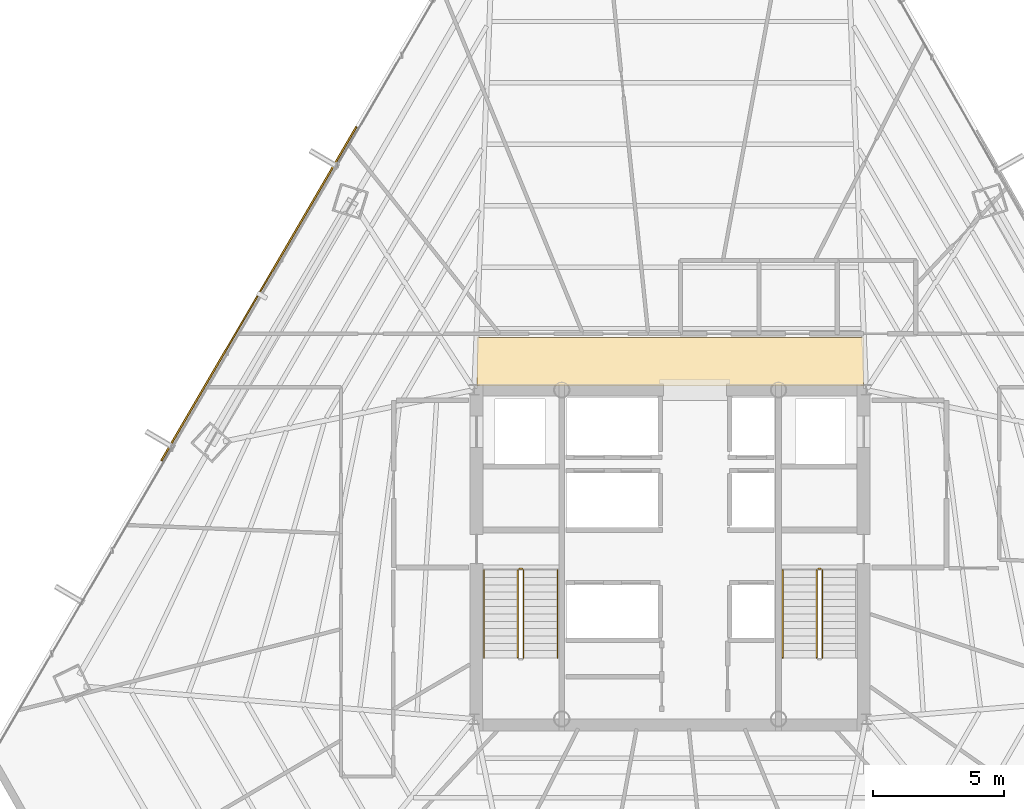
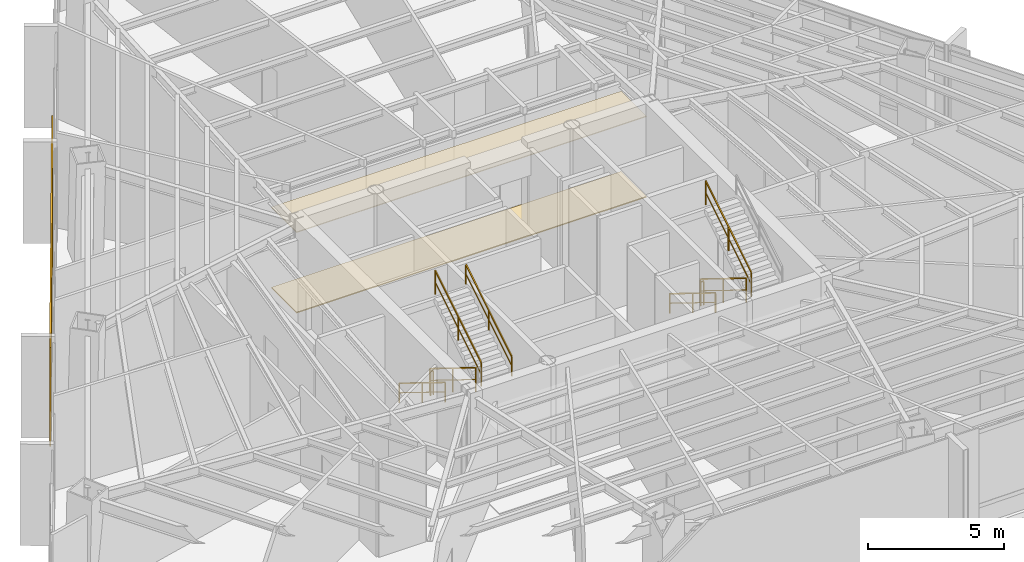
# One storey, part 36 of 37: 9 railings, 2 coverings, 1 shading device.
"""IFC4 building model written with IfcOpenShell, lengths in metres."""

from ifc_helpers import new_model, si_unit, direction, frame, origin, origin_2d, place, context, subcontext, project, spatial, polyline, rectangle, outline, extrude, source, transform, mapped, material, layer, layer_set, type_object, type_shapes, element, save


model = new_model("IFC4")

# Units and contexts
model_context = context("Model", 3, precision=1e-05, world=origin(), true_north=direction((0.0, 1.0)))
body_context = subcontext(model_context, "Body", "Model", "MODEL_VIEW")
ifc_project = project(units=[si_unit("LENGTHUNIT", "METRE"), si_unit("AREAUNIT", "SQUARE_METRE"), si_unit("VOLUMEUNIT", "CUBIC_METRE"), si_unit("PLANEANGLEUNIT", "RADIAN"), si_unit("MASSUNIT", "GRAM", prefix="KILO")], contexts=[model_context])

# Site, building, storey
site_placement = place(None, origin())
site = spatial("IfcSite", under=ifc_project, at=site_placement, CompositionType="ELEMENT")
building_placement = place(site_placement, origin())
building = spatial("IfcBuilding", under=site, at=building_placement, Name="Caelisora Broadcast Tower", CompositionType="ELEMENT")
storey_placement = place(building_placement, frame((0.0, 0.0, 127.300048828125)))
storey = spatial("IfcBuildingStorey", under=building, at=storey_placement, Name="L33", CompositionType="ELEMENT", Elevation=127.300048828125)

# Coverings
ifc_material_1 = material(Name="Perforated Mineral-Fibre Acoustic Ceiling Tile", Category="gypsum")
ifc_layer_1 = layer(ifc_material_1, 0.034912109375, Name="Perforated Mineral-Fibre Acoustic Ceiling Tile")
ifc_layer_set_1 = layer_set([ifc_layer_1], Name="Perforated Mineral-Fibre Acoustic Ceiling Tile")
covering_type_1 = type_object("IfcCoveringType", Name="CE-1", PredefinedType="CEILING", material=ifc_layer_set_1)
covering_1_placement = place(storey_placement, frame((0.0, 0.0, 3.599853515625)))
element("IfcCovering", 1, at=covering_1_placement, inside=storey, type_object=covering_type_1, Name="L33 acoustic corridor ceiling CE-1 (N)", PredefinedType="CEILING", context=body_context, shape_type="SweptSolid", body=[
    extrude(outline(polyline([(30.60009765625, 30.14990234375), (45.39990234375, 30.14990234375), (45.39990234375, 32.0), (30.60009765625, 32.0), (30.60009765625, 30.14990234375)])), origin(), (0.0, 0.0, 1.0), 0.03515625),
])
ifc_material_2 = material(Name="Anti-Static Broadcast Raised Access Floor Panel", Category="steel")
ifc_layer_2 = layer(ifc_material_2, 0.044921875, Name="Anti-Static Broadcast Raised Access Floor Panel")
ifc_layer_set_2 = layer_set([ifc_layer_2], Name="Anti-Static Broadcast Raised Access Floor Panel")
covering_type_2 = type_object("IfcCoveringType", Name="FL-1", PredefinedType="FLOORING", material=ifc_layer_set_2)
covering_2_placement = place(storey_placement, origin())
element("IfcCovering", 2, at=covering_2_placement, inside=storey, type_object=covering_type_2, Name="L33 broadcast raised access floor FL-1 (N)", PredefinedType="FLOORING", context=body_context, shape_type="SweptSolid", body=[
    extrude(outline(polyline([(30.60009765625, 30.14990234375), (45.39990234375, 30.14990234375), (45.39990234375, 32.0), (30.60009765625, 32.0), (30.60009765625, 30.14990234375)])), origin(), (0.0, 0.0, 1.0), 0.044921875),
])

# Railings
ifc_material_3 = material(Name="Galvanised Steel Safety Guardrail", Category="steel")
ifc_layer_3 = layer(ifc_material_3, 0.048095703125, Name="Galvanised Steel Safety Guardrail")
ifc_layer_set_3 = layer_set([ifc_layer_3], Name="Galvanised Steel Safety Guardrail")
railing_type_1 = type_object("IfcRailingType", Name="GR-1", PredefinedType="GUARDRAIL", material=ifc_layer_set_3)
railing_1_placement = place(storey_placement, frame((32.169921875, 23.10009765625, 0.173095703125)))
element("IfcRailing", 3, at=railing_1_placement, inside=storey, type_object=railing_type_1, Name="L33 ST-1 stair guard 1", PredefinedType="GUARDRAIL", context=body_context, shape_type="SweptSolid", body=[
    extrude(rectangle(XDim=0.048095703125, YDim=0.048095703125, at=origin_2d()), frame((0.0, 0.0, 1.076171875), z_axis=(0.0, -0.850623216509, 0.525775754039), x_axis=(1.0, 0.0, 0.0)), (0.0, 0.0, 1.0), 3.9501953125),
    extrude(rectangle(XDim=0.03125, YDim=0.03125, at=origin_2d()), frame((0.0, 0.0, 0.550048828125), z_axis=(0.0, -0.850623216509, 0.525775754039), x_axis=(1.0, 0.0, 0.0)), (0.0, 0.0, 1.0), 3.9501953125),
    extrude(rectangle(XDim=0.0419921875, YDim=0.0419921875, at=origin_2d()), origin(), (0.0, 0.0, 1.0), 1.052001953125),
    extrude(rectangle(XDim=0.0419921875, YDim=0.0419921875, at=origin_2d()), frame((0.0, -1.68017578125, 1.03857421875)), (0.0, 0.0, 1.0), 1.052001953125),
    extrude(rectangle(XDim=0.0419921875, YDim=0.0419921875, at=origin_2d()), frame((0.0, -3.360107421875, 2.076904296875)), (0.0, 0.0, 1.0), 1.052001953125),
])
railing_2_placement = place(storey_placement, frame((32.389892578125, 19.739990234375, 2.423095703125)))
element("IfcRailing", 4, at=railing_2_placement, inside=storey, type_object=railing_type_1, Name="L33 ST-1 stair guard 3", PredefinedType="GUARDRAIL", context=body_context, shape_type="SweptSolid", body=[
    extrude(rectangle(XDim=0.048095703125, YDim=0.048095703125, at=origin_2d()), frame((0.0, 0.0, 1.076171875), z_axis=(0.0, 0.850623216509, 0.525775754039), x_axis=(-1.0, 0.0, 0.0)), (0.0, 0.0, 1.0), 3.9501953125),
    extrude(rectangle(XDim=0.03125, YDim=0.03125, at=origin_2d()), frame((0.0, 0.0, 0.550048828125), z_axis=(0.0, 0.850623216509, 0.525775754039), x_axis=(-1.0, 0.0, 0.0)), (0.0, 0.0, 1.0), 3.9501953125),
    extrude(rectangle(XDim=0.0419921875, YDim=0.0419921875, at=origin_2d()), origin(), (0.0, 0.0, 1.0), 1.052001953125),
    extrude(rectangle(XDim=0.0419921875, YDim=0.0419921875, at=origin_2d()), frame((0.0, 1.68017578125, 1.03857421875)), (0.0, 0.0, 1.0), 1.052001953125),
    extrude(rectangle(XDim=0.0419921875, YDim=0.0419921875, at=origin_2d()), frame((0.0, 3.360107421875, 2.076904296875)), (0.0, 0.0, 1.0), 1.052001953125),
])
railing_3_placement = place(storey_placement, frame((32.219970703125, 23.14990234375, 0.0)))
element("IfcRailing", 5, at=railing_3_placement, inside=storey, type_object=railing_type_1, Name="L33 ST-1 stair guard 4", PredefinedType="GUARDRAIL", context=body_context, shape_type="SweptSolid", body=[
    extrude(rectangle(XDim=0.048095703125, YDim=0.048095703125, at=origin_2d()), frame((0.0, 0.0, 1.076171875), z_axis=(1.0, 0.0, 0.0), x_axis=(0.0, 1.0, 0.0)), (0.0, 0.0, 1.0), 0.1201171875),
    extrude(rectangle(XDim=0.03125, YDim=0.03125, at=origin_2d()), frame((0.0, 0.0, 0.550048828125), z_axis=(1.0, 0.0, 0.0), x_axis=(0.0, 1.0, 0.0)), (0.0, 0.0, 1.0), 0.1201171875),
    extrude(rectangle(XDim=0.0419921875, YDim=0.0419921875, at=origin_2d()), origin(), (0.0, 0.0, 1.0), 1.052001953125),
    extrude(rectangle(XDim=0.0419921875, YDim=0.0419921875, at=origin_2d()), frame((0.1201171875, 0.0, 0.0)), (0.0, 0.0, 1.0), 1.052001953125),
])
railing_4_placement = place(storey_placement, frame((43.610107421875, 23.10009765625, 0.173095703125)))
element("IfcRailing", 6, at=railing_4_placement, inside=storey, type_object=railing_type_1, Name="L33 ST-2 stair guard 1", PredefinedType="GUARDRAIL", context=body_context, shape_type="SweptSolid", body=[
    extrude(rectangle(XDim=0.048095703125, YDim=0.048095703125, at=origin_2d()), frame((0.0, 0.0, 1.076171875), z_axis=(0.0, -0.850623216509, 0.525775754039), x_axis=(1.0, 0.0, 0.0)), (0.0, 0.0, 1.0), 3.9501953125),
    extrude(rectangle(XDim=0.03125, YDim=0.03125, at=origin_2d()), frame((0.0, 0.0, 0.550048828125), z_axis=(0.0, -0.850623216509, 0.525775754039), x_axis=(1.0, 0.0, 0.0)), (0.0, 0.0, 1.0), 3.9501953125),
    extrude(rectangle(XDim=0.0419921875, YDim=0.0419921875, at=origin_2d()), origin(), (0.0, 0.0, 1.0), 1.052001953125),
    extrude(rectangle(XDim=0.0419921875, YDim=0.0419921875, at=origin_2d()), frame((0.0, -1.68017578125, 1.03857421875)), (0.0, 0.0, 1.0), 1.052001953125),
    extrude(rectangle(XDim=0.0419921875, YDim=0.0419921875, at=origin_2d()), frame((0.0, -3.360107421875, 2.076904296875)), (0.0, 0.0, 1.0), 1.052001953125),
])
railing_5_placement = place(storey_placement, frame((43.830078125, 19.739990234375, 2.423095703125)))
element("IfcRailing", 7, at=railing_5_placement, inside=storey, type_object=railing_type_1, Name="L33 ST-2 stair guard 3", PredefinedType="GUARDRAIL", context=body_context, shape_type="SweptSolid", body=[
    extrude(rectangle(XDim=0.048095703125, YDim=0.048095703125, at=origin_2d()), frame((0.0, 0.0, 1.076171875), z_axis=(0.0, 0.850623216509, 0.525775754039), x_axis=(-1.0, 0.0, 0.0)), (0.0, 0.0, 1.0), 3.9501953125),
    extrude(rectangle(XDim=0.03125, YDim=0.03125, at=origin_2d()), frame((0.0, 0.0, 0.550048828125), z_axis=(0.0, 0.850623216509, 0.525775754039), x_axis=(-1.0, 0.0, 0.0)), (0.0, 0.0, 1.0), 3.9501953125),
    extrude(rectangle(XDim=0.0419921875, YDim=0.0419921875, at=origin_2d()), origin(), (0.0, 0.0, 1.0), 1.052001953125),
    extrude(rectangle(XDim=0.0419921875, YDim=0.0419921875, at=origin_2d()), frame((0.0, 1.68017578125, 1.03857421875)), (0.0, 0.0, 1.0), 1.052001953125),
    extrude(rectangle(XDim=0.0419921875, YDim=0.0419921875, at=origin_2d()), frame((0.0, 3.360107421875, 2.076904296875)), (0.0, 0.0, 1.0), 1.052001953125),
])
railing_6_placement = place(storey_placement, frame((43.659912109375, 23.14990234375, 0.0)))
element("IfcRailing", 8, at=railing_6_placement, inside=storey, type_object=railing_type_1, Name="L33 ST-2 stair guard 4", PredefinedType="GUARDRAIL", context=body_context, shape_type="SweptSolid", body=[
    extrude(rectangle(XDim=0.048095703125, YDim=0.048095703125, at=origin_2d()), frame((0.0, 0.0, 1.076171875), z_axis=(1.0, 0.0, 0.0), x_axis=(0.0, 1.0, 0.0)), (0.0, 0.0, 1.0), 0.1201171875),
    extrude(rectangle(XDim=0.03125, YDim=0.03125, at=origin_2d()), frame((0.0, 0.0, 0.550048828125), z_axis=(1.0, 0.0, 0.0), x_axis=(0.0, 1.0, 0.0)), (0.0, 0.0, 1.0), 0.1201171875),
    extrude(rectangle(XDim=0.0419921875, YDim=0.0419921875, at=origin_2d()), origin(), (0.0, 0.0, 1.0), 1.052001953125),
    extrude(rectangle(XDim=0.0419921875, YDim=0.0419921875, at=origin_2d()), frame((0.1201171875, 0.0, 0.0)), (0.0, 0.0, 1.0), 1.052001953125),
])
ifc_material_4 = material(Name="Stainless Steel Grade 316 Tubular Handrail", Category="steel")
ifc_layer_4 = layer(ifc_material_4, 0.048095703125, Name="Stainless Steel Grade 316 Tubular Handrail")
ifc_layer_set_4 = layer_set([ifc_layer_4], Name="Stainless Steel Grade 316 Tubular Handrail")
railing_type_2 = type_object("IfcRailingType", Name="HR-1", PredefinedType="HANDRAIL", material=ifc_layer_set_4)
railing_7_placement = place(storey_placement, frame((30.8701171875, 23.10009765625, 0.173095703125)))
element("IfcRailing", 9, at=railing_7_placement, inside=storey, type_object=railing_type_2, Name="L33 ST-1 stair handrail 1", PredefinedType="HANDRAIL", context=body_context, shape_type="SweptSolid", body=[
    extrude(rectangle(XDim=0.048095703125, YDim=0.048095703125, at=origin_2d()), frame((0.0, 0.0, 0.8759765625), z_axis=(0.0, -0.850623216509, 0.525775754039), x_axis=(1.0, 0.0, 0.0)), (0.0, 0.0, 1.0), 3.9501953125),
    extrude(rectangle(XDim=0.03125, YDim=0.03125, at=origin_2d()), frame((0.0, 0.0, 0.449951171875), z_axis=(0.0, -0.850623216509, 0.525775754039), x_axis=(1.0, 0.0, 0.0)), (0.0, 0.0, 1.0), 3.9501953125),
    extrude(rectangle(XDim=0.0419921875, YDim=0.0419921875, at=origin_2d()), origin(), (0.0, 0.0, 1.0), 0.851806640625),
    extrude(rectangle(XDim=0.0419921875, YDim=0.0419921875, at=origin_2d()), frame((0.0, -1.68017578125, 1.03857421875)), (0.0, 0.0, 1.0), 0.851806640625),
    extrude(rectangle(XDim=0.0419921875, YDim=0.0419921875, at=origin_2d()), frame((0.0, -3.360107421875, 2.076904296875)), (0.0, 0.0, 1.0), 0.851806640625),
])
railing_8_placement = place(storey_placement, frame((33.68994140625, 19.739990234375, 2.423095703125)))
element("IfcRailing", 10, at=railing_8_placement, inside=storey, type_object=railing_type_2, Name="L33 ST-1 stair handrail 2", PredefinedType="HANDRAIL", context=body_context, shape_type="SweptSolid", body=[
    extrude(rectangle(XDim=0.048095703125, YDim=0.048095703125, at=origin_2d()), frame((0.0, 0.0, 0.8759765625), z_axis=(0.0, 0.850623216509, 0.525775754039), x_axis=(-1.0, 0.0, 0.0)), (0.0, 0.0, 1.0), 3.9501953125),
    extrude(rectangle(XDim=0.03125, YDim=0.03125, at=origin_2d()), frame((0.0, 0.0, 0.449951171875), z_axis=(0.0, 0.850623216509, 0.525775754039), x_axis=(-1.0, 0.0, 0.0)), (0.0, 0.0, 1.0), 3.9501953125),
    extrude(rectangle(XDim=0.0419921875, YDim=0.0419921875, at=origin_2d()), origin(), (0.0, 0.0, 1.0), 0.851806640625),
    extrude(rectangle(XDim=0.0419921875, YDim=0.0419921875, at=origin_2d()), frame((0.0, 1.68017578125, 1.03857421875)), (0.0, 0.0, 1.0), 0.851806640625),
    extrude(rectangle(XDim=0.0419921875, YDim=0.0419921875, at=origin_2d()), frame((0.0, 3.360107421875, 2.076904296875)), (0.0, 0.0, 1.0), 0.851806640625),
])
railing_9_placement = place(storey_placement, frame((42.31005859375, 23.10009765625, 0.173095703125)))
element("IfcRailing", 11, at=railing_9_placement, inside=storey, type_object=railing_type_2, Name="L33 ST-2 stair handrail 1", PredefinedType="HANDRAIL", context=body_context, shape_type="SweptSolid", body=[
    extrude(rectangle(XDim=0.048095703125, YDim=0.048095703125, at=origin_2d()), frame((0.0, 0.0, 0.8759765625), z_axis=(0.0, -0.850623216509, 0.525775754039), x_axis=(1.0, 0.0, 0.0)), (0.0, 0.0, 1.0), 3.9501953125),
    extrude(rectangle(XDim=0.03125, YDim=0.03125, at=origin_2d()), frame((0.0, 0.0, 0.449951171875), z_axis=(0.0, -0.850623216509, 0.525775754039), x_axis=(1.0, 0.0, 0.0)), (0.0, 0.0, 1.0), 3.9501953125),
    extrude(rectangle(XDim=0.0419921875, YDim=0.0419921875, at=origin_2d()), origin(), (0.0, 0.0, 1.0), 0.851806640625),
    extrude(rectangle(XDim=0.0419921875, YDim=0.0419921875, at=origin_2d()), frame((0.0, -1.68017578125, 1.03857421875)), (0.0, 0.0, 1.0), 0.851806640625),
    extrude(rectangle(XDim=0.0419921875, YDim=0.0419921875, at=origin_2d()), frame((0.0, -3.360107421875, 2.076904296875)), (0.0, 0.0, 1.0), 0.851806640625),
])

# Shading device
ifc_material_5 = material(Name="Perforated Glazed Terracotta Baguette Solar Screen", Category="ceramic")
ifc_layer_5 = layer(ifc_material_5, 0.06494140625, Name="Perforated Glazed Terracotta Baguette Solar Screen")
ifc_layer_set_5 = layer_set([ifc_layer_5], Name="Perforated Glazed Terracotta Baguette Solar Screen")
shading_device_type = type_object("IfcShadingDeviceType", Name="SS-1", PredefinedType="USERDEFINED", material=ifc_layer_set_5)
shared_shape = source(origin(), body_context, "Body", "SweptSolid", [
    extrude(rectangle(XDim=14.804931640625, YDim=0.06494140625, at=origin_2d()), origin(), (0.0, 0.0, 1.0), 4.43994140625),
])
type_shapes(shading_device_type, [shared_shape])
shading_device_placement = place(storey_placement, frame((22.25439453125, 33.680419921875, 0.0), z_axis=(0.0, 0.0, 1.0), x_axis=(-0.504527623815, -0.863395550607, 0.0)))
element("IfcShadingDevice", 12, at=shading_device_placement, inside=storey, type_object=shading_device_type, Name="L33 perforated terracotta solar screen #1", ObjectType="SOLAR SCREEN", PredefinedType="USERDEFINED", context=body_context, shape_type="MappedRepresentation", body=[
    mapped(shared_shape, transform((0.0, 0.0, 0.0), scale=1.0)),
])

save(model, "model.ifc")
